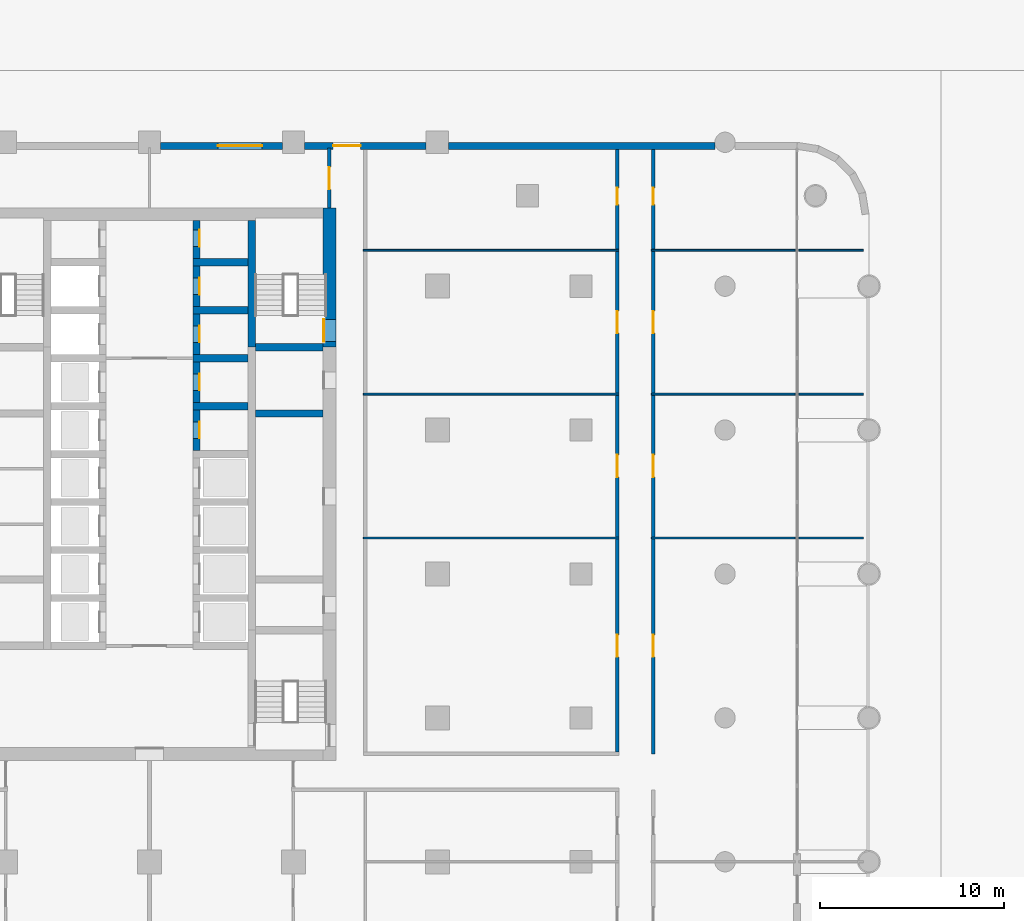
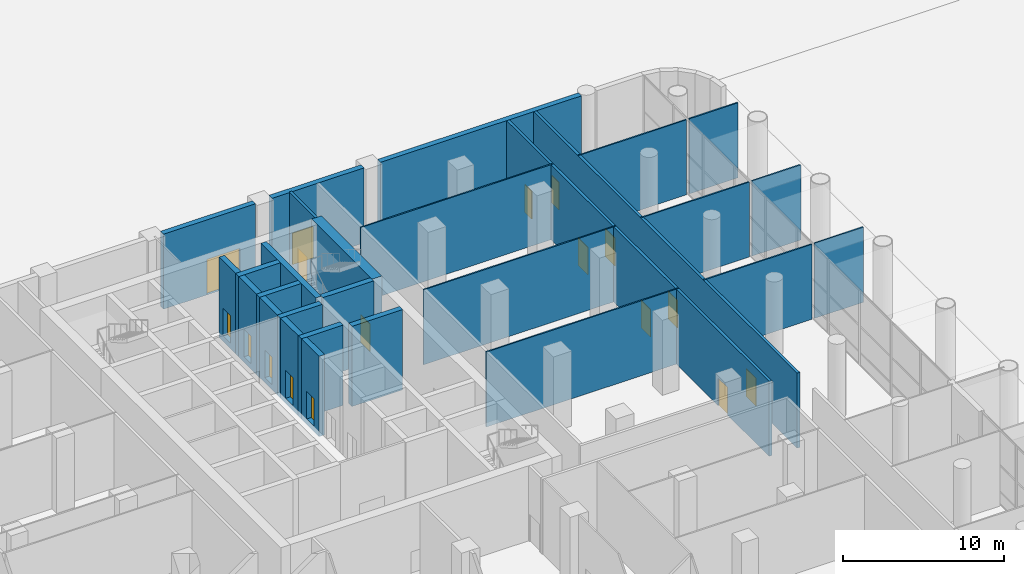
# One storey, part 15 of 32: 28 walls, 17 doors, 17 openings.
"""IFC4 building model written with IfcOpenShell, lengths in metres."""

from ifc_helpers import new_model, si_unit, direction, frame, frame_2d, origin, place, context, subcontext, project, spatial, rectangle, extrude, material, layer, layer_set, type_object, element, fill, save


model = new_model("IFC4")

# Units and contexts
model_context = context("Model", 3, precision=1e-05, world=origin(), true_north=direction((0.0, 1.0)))
body_context = subcontext(model_context, "Body", "Model", "MODEL_VIEW")
ifc_project = project(units=[si_unit("LENGTHUNIT", "METRE"), si_unit("AREAUNIT", "SQUARE_METRE"), si_unit("VOLUMEUNIT", "CUBIC_METRE"), si_unit("PLANEANGLEUNIT", "RADIAN"), si_unit("MASSUNIT", "GRAM", prefix="KILO")], contexts=[model_context])

# Site, building, storey
site_placement = place(None, origin())
site = spatial("IfcSite", under=ifc_project, at=site_placement, CompositionType="ELEMENT")
building_placement = place(site_placement, origin())
building = spatial("IfcBuilding", under=site, at=building_placement, Name="Ludao Terraces", CompositionType="ELEMENT")
storey_placement = place(building_placement, origin())
storey = spatial("IfcBuildingStorey", under=building, at=storey_placement, Name="L00", CompositionType="ELEMENT", Elevation=0.0)

# Wall, opening, door
ifc_material_1 = material(Name="Concrete C70", Category="concrete")
ifc_layer_1 = layer(ifc_material_1, 0.699951171875)
ifc_layer_set_1 = layer_set([ifc_layer_1], Name="Core wall 700 C70")
wall_type_1 = type_object("IfcWallType", Name="Core wall 700 C70", PredefinedType="SOLIDWALL", material=ifc_layer_set_1)
wall_1_placement = place(storey_placement, frame((94.75, 77.300048828125, -0.39990234375), z_axis=(0.0, 0.0, 1.0), x_axis=(0.0, 1.0, 0.0)))
wall_1 = element("IfcWall", 1, at=wall_1_placement, inside=storey, type_object=wall_type_1, Name="Core wall L00 outer-E-S2", PredefinedType="SOLIDWALL", context=body_context, shape_type="SweptSolid", body=[
    extrude(rectangle(XDim=7.550048828125, YDim=0.699951171875, at=frame_2d((3.77490234375, 0.0))), origin(), (0.0, 0.0, 1.0), 6.099853515625),
])
opening_1_placement = place(wall_1_placement, frame((0.300048828125, 0.0, 0.39990234375)))
opening_1 = element("IfcOpeningElement", 2, at=opening_1_placement, cuts=wall_1, Name="Opening L00-065", PredefinedType="OPENING", context=body_context, shape_type="SweptSolid", body=[
    extrude(rectangle(XDim=1.199951171875, YDim=2.10009765625, at=frame_2d((0.60009765625, 1.050048828125))), frame((0.0, 0.35986328125, 0.0), z_axis=(0.0, -1.0, 0.0), x_axis=(1.0, 0.0, 0.0)), (0.0, 0.0, 1.0), 0.719970703125),
])
ifc_material_2 = material(Name="Steel Q235", Category="steel")
door_type_1 = type_object("IfcDoorType", Name="INT Stair door 1200", OperationType="DOUBLE_DOOR_SINGLE_SWING", PredefinedType="DOOR", material=ifc_material_2)
door_1_placement = place(opening_1_placement, frame((1.199951171875, 0.0, 0.0), z_axis=(0.0, 0.0, 1.0), x_axis=(-1.0, 0.0, 0.0)))
door_1 = element("IfcDoor", 3, at=door_1_placement, inside=storey, type_object=door_type_1, Name="DOOR 065", OperationType="DOUBLE_DOOR_SINGLE_SWING", OverallHeight=2.10009765625, OverallWidth=1.199951171875, PredefinedType="DOOR", context=body_context, shape_type="SweptSolid", body=[
    extrude(rectangle(XDim=1.199951171875, YDim=2.10009765625, at=frame_2d((0.60009765625, 1.050048828125))), frame((0.0, -0.28515625, 0.0), z_axis=(0.0, -1.0, 0.0), x_axis=(1.0, 0.0, 0.0)), (0.0, 0.0, 1.0), 0.050048828125),
])
fill(opening_1, door_1)

ifc_material_3 = material(Name="Granite cladding", Category="masonry")
ifc_layer_2 = layer(ifc_material_3, 0.06005859375, Category="stone")
ifc_material_4 = material(Name="Mineral wool")
ifc_layer_3 = layer(ifc_material_4, 0.06005859375)
ifc_material_5 = material(Name="Concrete C40", Category="concrete")
ifc_layer_4 = layer(ifc_material_5, 0.260009765625, Category="concrete")
ifc_layer_set_2 = layer_set([ifc_layer_2, ifc_layer_3, ifc_layer_4], Name="ENV Stone-clad wall 380")
wall_type_2 = type_object("IfcWallType", Name="ENV Stone-clad wall 380", PredefinedType="SOLIDWALL", material=ifc_layer_set_2)
wall_2_placement = place(storey_placement, frame((85.60009765625, 88.2099609375, 0.0), z_axis=(0.0, 0.0, 1.0), x_axis=(1.0, 0.0, 0.0)))
wall_2 = element("IfcWall", 4, at=wall_2_placement, inside=storey, type_object=wall_type_2, Name="EW-L00-N5", PredefinedType="SOLIDWALL", context=body_context, shape_type="SweptSolid", body=[
    extrude(rectangle(XDim=6.599853515625, YDim=0.3798828125, at=frame_2d((3.2998046875, 0.0))), origin(), (0.0, 0.0, 1.0), 5.699951171875),
])
opening_2_placement = place(wall_2_placement, frame((3.10009765625, 0.0, 0.0)))
opening_2 = element("IfcOpeningElement", 5, at=opening_2_placement, cuts=wall_2, Name="Opening LG1", PredefinedType="OPENING", context=body_context, shape_type="SweptSolid", body=[
    extrude(rectangle(XDim=2.39990234375, YDim=2.699951171875, at=frame_2d((1.199951171875, 1.35009765625))), frame((0.0, 0.199951171875, 0.0), z_axis=(0.0, -1.0, 0.0), x_axis=(1.0, 0.0, 0.0)), (0.0, 0.0, 1.0), 0.39990234375),
])
ifc_layer_5 = layer(ifc_material_2, 0.06005859375)
ifc_layer_set_3 = layer_set([ifc_layer_5], Name="ENV Loading door LG1 2400x2700")
door_type_2 = type_object("IfcDoorType", Name="ENV Loading door LG1 2400x2700", OperationType="DOUBLE_DOOR_SINGLE_SWING", PredefinedType="DOOR", material=ifc_layer_set_3)
door_2_placement = place(opening_2_placement, origin())
door_2 = element("IfcDoor", 6, at=door_2_placement, inside=storey, type_object=door_type_2, Name="EX-L00-N5-899", OperationType="DOUBLE_DOOR_SINGLE_SWING", OverallHeight=2.699951171875, OverallWidth=2.39990234375, PredefinedType="DOOR", context=body_context, shape_type="SweptSolid", body=[
    extrude(rectangle(XDim=2.39990234375, YDim=2.699951171875, at=frame_2d((1.199951171875, 1.35009765625))), frame((0.0, 0.02490234375, 0.0), z_axis=(0.0, -1.0, 0.0), x_axis=(1.0, 0.0, 0.0)), (0.0, 0.0, 1.0), 0.050048828125),
])
fill(opening_2, door_2)

wall_3_placement = place(storey_placement, frame((93.39990234375, 88.2099609375, 0.0), z_axis=(0.0, 0.0, 1.0), x_axis=(1.0, 0.0, 0.0)))
wall_3 = element("IfcWall", 7, at=wall_3_placement, inside=storey, type_object=wall_type_2, Name="EW-L00-N6", PredefinedType="SOLIDWALL", context=body_context, shape_type="SweptSolid", body=[
    extrude(rectangle(XDim=6.60009765625, YDim=0.3798828125, at=frame_2d((3.300048828125, 0.0))), origin(), (0.0, 0.0, 1.0), 5.699951171875),
])
opening_3_placement = place(wall_3_placement, frame((1.550048828125, 0.0, 0.0)))
opening_3 = element("IfcOpeningElement", 8, at=opening_3_placement, cuts=wall_3, Name="Opening XD", PredefinedType="OPENING", context=body_context, shape_type="SweptSolid", body=[
    extrude(rectangle(XDim=1.5, YDim=2.39990234375, at=frame_2d((0.75, 1.199951171875))), frame((0.0, 0.199951171875, 0.0), z_axis=(0.0, -1.0, 0.0), x_axis=(1.0, 0.0, 0.0)), (0.0, 0.0, 1.0), 0.39990234375),
])
ifc_layer_6 = layer(ifc_material_2, 0.06005859375)
ifc_layer_set_4 = layer_set([ifc_layer_6], Name="ENV Stair discharge door XD 1500x2400")
door_type_3 = type_object("IfcDoorType", Name="ENV Stair discharge door XD 1500x2400", OperationType="DOUBLE_DOOR_SINGLE_SWING", PredefinedType="DOOR", material=ifc_layer_set_4)
door_3_placement = place(opening_3_placement, origin())
door_3 = element("IfcDoor", 9, at=door_3_placement, inside=storey, type_object=door_type_3, Name="EX-L00-N6-957", OperationType="DOUBLE_DOOR_SINGLE_SWING", OverallHeight=2.39990234375, OverallWidth=1.5, PredefinedType="DOOR", context=body_context, shape_type="SweptSolid", body=[
    extrude(rectangle(XDim=1.5, YDim=2.39990234375, at=frame_2d((0.75, 1.199951171875))), frame((0.0, 0.02490234375, 0.0), z_axis=(0.0, -1.0, 0.0), x_axis=(1.0, 0.0, 0.0)), (0.0, 0.0, 1.0), 0.050048828125),
])
fill(opening_3, door_3)

# Wall
wall_4_placement = place(storey_placement, frame((101.199951171875, 88.2099609375, 0.0), z_axis=(0.0, 0.0, 1.0), x_axis=(1.0, 0.0, 0.0)))
element("IfcWall", 10, at=wall_4_placement, inside=storey, type_object=wall_type_2, Name="EW-L00-N7", PredefinedType="SOLIDWALL", context=body_context, shape_type="SweptSolid", body=[
    extrude(rectangle(XDim=14.449951171875, YDim=0.3798828125, at=frame_2d((7.22509765625, 0.0))), origin(), (0.0, 0.0, 1.0), 5.699951171875),
])

# Wall, opening, door
ifc_material_6 = material(Name="Autoclaved aerated concrete block B06 A3.5", Category="concrete")
ifc_layer_7 = layer(ifc_material_6, 0.199951171875)
ifc_layer_set_5 = layer_set([ifc_layer_7], Name="INT Entrance wall 200")
wall_type_3 = type_object("IfcWallType", Name="INT Entrance wall 200", PredefinedType="PARTITIONING", material=ifc_layer_set_5)
wall_5_placement = place(storey_placement, frame((94.75, 84.85009765625, 0.0), z_axis=(0.0, 0.0, 1.0), x_axis=(0.0, 1.0, 0.0)))
wall_5 = element("IfcWall", 11, at=wall_5_placement, inside=storey, type_object=wall_type_3, Name="PW-L00-PW067", PredefinedType="PARTITIONING", context=body_context, shape_type="SweptSolid", body=[
    extrude(rectangle(XDim=3.25, YDim=0.199951171875, at=frame_2d((1.625, 0.0))), origin(), (0.0, 0.0, 1.0), 5.699951171875),
])
opening_4_placement = place(wall_5_placement, frame((1.0, 0.0, 0.0)))
opening_4 = element("IfcOpeningElement", 12, at=opening_4_placement, cuts=wall_5, Name="Opening L00-077", PredefinedType="OPENING", context=body_context, shape_type="SweptSolid", body=[
    extrude(rectangle(XDim=1.199951171875, YDim=2.10009765625, at=frame_2d((0.60009765625, 1.050048828125))), frame((0.0, 0.10986328125, 0.0), z_axis=(0.0, -1.0, 0.0), x_axis=(1.0, 0.0, 0.0)), (0.0, 0.0, 1.0), 0.219970703125),
])
ifc_material_7 = material(Name="Timber door leaf", Category="wood")
door_type_4 = type_object("IfcDoorType", Name="INT Double door 1200", OperationType="DOUBLE_DOOR_SINGLE_SWING", PredefinedType="DOOR", material=ifc_material_7)
door_4_placement = place(opening_4_placement, origin())
door_4 = element("IfcDoor", 13, at=door_4_placement, inside=storey, type_object=door_type_4, Name="DOOR 077", OperationType="DOUBLE_DOOR_SINGLE_SWING", OverallHeight=2.10009765625, OverallWidth=1.199951171875, PredefinedType="DOOR", context=body_context, shape_type="SweptSolid", body=[
    extrude(rectangle(XDim=1.199951171875, YDim=2.10009765625, at=frame_2d((0.60009765625, 1.050048828125))), frame((0.0, 0.02490234375, 0.0), z_axis=(0.0, -1.0, 0.0), x_axis=(1.0, 0.0, 0.0)), (0.0, 0.0, 1.0), 0.050048828125),
])
fill(opening_4, door_4)

# Wall, openings, doors
wall_6_placement = place(storey_placement, frame((110.35009765625, 55.35009765625, 0.0), z_axis=(0.0, 0.0, 1.0), x_axis=(0.0, 1.0, 0.0)))
wall_6 = element("IfcWall", 14, at=wall_6_placement, inside=storey, type_object=wall_type_3, Name="PW-L00-PW073", PredefinedType="PARTITIONING", context=body_context, shape_type="SweptSolid", body=[
    extrude(rectangle(XDim=32.75, YDim=0.199951171875, at=frame_2d((16.375, 0.0))), origin(), (0.0, 0.0, 1.0), 5.699951171875),
])
opening_5_placement = place(wall_6_placement, frame((5.14990234375, 0.0, 0.0)))
opening_5 = element("IfcOpeningElement", 15, at=opening_5_placement, cuts=wall_6, Name="Opening L00-032", PredefinedType="OPENING", context=body_context, shape_type="SweptSolid", body=[
    extrude(rectangle(XDim=1.199951171875, YDim=2.10009765625, at=frame_2d((0.60009765625, 1.050048828125))), frame((0.0, 0.10986328125, 0.0), z_axis=(0.0, -1.0, 0.0), x_axis=(1.0, 0.0, 0.0)), (0.0, 0.0, 1.0), 0.219970703125),
])
opening_6_placement = place(wall_6_placement, frame((14.89990234375, 0.0, 0.0)))
opening_6 = element("IfcOpeningElement", 16, at=opening_6_placement, cuts=wall_6, Name="Opening L00-050", PredefinedType="OPENING", context=body_context, shape_type="SweptSolid", body=[
    extrude(rectangle(XDim=1.199951171875, YDim=2.10009765625, at=frame_2d((0.60009765625, 1.050048828125))), frame((0.0, 0.10986328125, 0.0), z_axis=(0.0, -1.0, 0.0), x_axis=(1.0, 0.0, 0.0)), (0.0, 0.0, 1.0), 0.219970703125),
])
opening_7_placement = place(wall_6_placement, frame((22.699951171875, 0.0, 0.0)))
opening_7 = element("IfcOpeningElement", 17, at=opening_7_placement, cuts=wall_6, Name="Opening L00-066", PredefinedType="OPENING", context=body_context, shape_type="SweptSolid", body=[
    extrude(rectangle(XDim=1.199951171875, YDim=2.10009765625, at=frame_2d((0.60009765625, 1.050048828125))), frame((0.0, 0.10986328125, 0.0), z_axis=(0.0, -1.0, 0.0), x_axis=(1.0, 0.0, 0.0)), (0.0, 0.0, 1.0), 0.219970703125),
])
opening_8_placement = place(wall_6_placement, frame((29.675048828125, 0.0, 0.0)))
opening_8 = element("IfcOpeningElement", 18, at=opening_8_placement, cuts=wall_6, Name="Opening L00-074", PredefinedType="OPENING", context=body_context, shape_type="SweptSolid", body=[
    extrude(rectangle(XDim=0.89990234375, YDim=2.10009765625, at=frame_2d((0.449951171875, 1.050048828125))), frame((0.0, 0.10986328125, 0.0), z_axis=(0.0, -1.0, 0.0), x_axis=(1.0, 0.0, 0.0)), (0.0, 0.0, 1.0), 0.219970703125),
])
door_5_placement = place(opening_5_placement, origin())
door_5 = element("IfcDoor", 19, at=door_5_placement, inside=storey, type_object=door_type_4, Name="DOOR 032", OperationType="DOUBLE_DOOR_SINGLE_SWING", OverallHeight=2.10009765625, OverallWidth=1.199951171875, PredefinedType="DOOR", context=body_context, shape_type="SweptSolid", body=[
    extrude(rectangle(XDim=1.199951171875, YDim=2.10009765625, at=frame_2d((0.60009765625, 1.050048828125))), frame((0.0, 0.02490234375, 0.0), z_axis=(0.0, -1.0, 0.0), x_axis=(1.0, 0.0, 0.0)), (0.0, 0.0, 1.0), 0.050048828125),
])
fill(opening_5, door_5)
door_6_placement = place(opening_6_placement, origin())
door_6 = element("IfcDoor", 20, at=door_6_placement, inside=storey, type_object=door_type_4, Name="DOOR 050", OperationType="DOUBLE_DOOR_SINGLE_SWING", OverallHeight=2.10009765625, OverallWidth=1.199951171875, PredefinedType="DOOR", context=body_context, shape_type="SweptSolid", body=[
    extrude(rectangle(XDim=1.199951171875, YDim=2.10009765625, at=frame_2d((0.60009765625, 1.050048828125))), frame((0.0, 0.02490234375, 0.0), z_axis=(0.0, -1.0, 0.0), x_axis=(1.0, 0.0, 0.0)), (0.0, 0.0, 1.0), 0.050048828125),
])
fill(opening_6, door_6)
door_7_placement = place(opening_7_placement, origin())
door_7 = element("IfcDoor", 21, at=door_7_placement, inside=storey, type_object=door_type_4, Name="DOOR 066", OperationType="DOUBLE_DOOR_SINGLE_SWING", OverallHeight=2.10009765625, OverallWidth=1.199951171875, PredefinedType="DOOR", context=body_context, shape_type="SweptSolid", body=[
    extrude(rectangle(XDim=1.199951171875, YDim=2.10009765625, at=frame_2d((0.60009765625, 1.050048828125))), frame((0.0, 0.02490234375, 0.0), z_axis=(0.0, -1.0, 0.0), x_axis=(1.0, 0.0, 0.0)), (0.0, 0.0, 1.0), 0.050048828125),
])
fill(opening_7, door_7)
door_type_5 = type_object("IfcDoorType", Name="INT Room door 900", OperationType="SINGLE_SWING_LEFT", PredefinedType="DOOR", material=ifc_material_7)
door_8_placement = place(opening_8_placement, origin())
door_8 = element("IfcDoor", 22, at=door_8_placement, inside=storey, type_object=door_type_5, Name="DOOR 074", OperationType="SINGLE_SWING_RIGHT", OverallHeight=2.10009765625, OverallWidth=0.89990234375, PredefinedType="DOOR", context=body_context, shape_type="SweptSolid", body=[
    extrude(rectangle(XDim=0.89990234375, YDim=2.10009765625, at=frame_2d((0.449951171875, 1.050048828125))), frame((0.0, 0.02490234375, 0.0), z_axis=(0.0, -1.0, 0.0), x_axis=(1.0, 0.0, 0.0)), (0.0, 0.0, 1.0), 0.050048828125),
])
fill(opening_8, door_8)

wall_7_placement = place(storey_placement, frame((112.300048828125, 55.25, 0.0), z_axis=(0.0, 0.0, 1.0), x_axis=(0.0, 1.0, 0.0)))
wall_7 = element("IfcWall", 23, at=wall_7_placement, inside=storey, type_object=wall_type_3, Name="PW-L00-PW076", PredefinedType="PARTITIONING", context=body_context, shape_type="SweptSolid", body=[
    extrude(rectangle(XDim=32.85009765625, YDim=0.199951171875, at=frame_2d((16.425048828125, 0.0))), origin(), (0.0, 0.0, 1.0), 5.699951171875),
])
opening_9_placement = place(wall_7_placement, frame((5.25, 0.0, 0.0)))
opening_9 = element("IfcOpeningElement", 24, at=opening_9_placement, cuts=wall_7, Name="Opening L00-033", PredefinedType="OPENING", context=body_context, shape_type="SweptSolid", body=[
    extrude(rectangle(XDim=1.199951171875, YDim=2.10009765625, at=frame_2d((0.60009765625, 1.050048828125))), frame((0.0, 0.10986328125, 0.0), z_axis=(0.0, -1.0, 0.0), x_axis=(1.0, 0.0, 0.0)), (0.0, 0.0, 1.0), 0.219970703125),
])
opening_10_placement = place(wall_7_placement, frame((15.0, 0.0, 0.0)))
opening_10 = element("IfcOpeningElement", 25, at=opening_10_placement, cuts=wall_7, Name="Opening L00-051", PredefinedType="OPENING", context=body_context, shape_type="SweptSolid", body=[
    extrude(rectangle(XDim=1.199951171875, YDim=2.10009765625, at=frame_2d((0.60009765625, 1.050048828125))), frame((0.0, 0.10986328125, 0.0), z_axis=(0.0, -1.0, 0.0), x_axis=(1.0, 0.0, 0.0)), (0.0, 0.0, 1.0), 0.219970703125),
])
opening_11_placement = place(wall_7_placement, frame((22.800048828125, 0.0, 0.0)))
opening_11 = element("IfcOpeningElement", 26, at=opening_11_placement, cuts=wall_7, Name="Opening L00-067", PredefinedType="OPENING", context=body_context, shape_type="SweptSolid", body=[
    extrude(rectangle(XDim=1.199951171875, YDim=2.10009765625, at=frame_2d((0.60009765625, 1.050048828125))), frame((0.0, 0.10986328125, 0.0), z_axis=(0.0, -1.0, 0.0), x_axis=(1.0, 0.0, 0.0)), (0.0, 0.0, 1.0), 0.219970703125),
])
opening_12_placement = place(wall_7_placement, frame((29.775146484375, 0.0, 0.0)))
opening_12 = element("IfcOpeningElement", 27, at=opening_12_placement, cuts=wall_7, Name="Opening L00-075", PredefinedType="OPENING", context=body_context, shape_type="SweptSolid", body=[
    extrude(rectangle(XDim=0.89990234375, YDim=2.10009765625, at=frame_2d((0.449951171875, 1.050048828125))), frame((0.0, 0.10986328125, 0.0), z_axis=(0.0, -1.0, 0.0), x_axis=(1.0, 0.0, 0.0)), (0.0, 0.0, 1.0), 0.219970703125),
])
door_9_placement = place(opening_9_placement, origin())
door_9 = element("IfcDoor", 28, at=door_9_placement, inside=storey, type_object=door_type_4, Name="DOOR 033", OperationType="DOUBLE_DOOR_SINGLE_SWING", OverallHeight=2.10009765625, OverallWidth=1.199951171875, PredefinedType="DOOR", context=body_context, shape_type="SweptSolid", body=[
    extrude(rectangle(XDim=1.199951171875, YDim=2.10009765625, at=frame_2d((0.60009765625, 1.050048828125))), frame((0.0, 0.02490234375, 0.0), z_axis=(0.0, -1.0, 0.0), x_axis=(1.0, 0.0, 0.0)), (0.0, 0.0, 1.0), 0.050048828125),
])
fill(opening_9, door_9)
door_10_placement = place(opening_10_placement, origin())
door_10 = element("IfcDoor", 29, at=door_10_placement, inside=storey, type_object=door_type_4, Name="DOOR 051", OperationType="DOUBLE_DOOR_SINGLE_SWING", OverallHeight=2.10009765625, OverallWidth=1.199951171875, PredefinedType="DOOR", context=body_context, shape_type="SweptSolid", body=[
    extrude(rectangle(XDim=1.199951171875, YDim=2.10009765625, at=frame_2d((0.60009765625, 1.050048828125))), frame((0.0, 0.02490234375, 0.0), z_axis=(0.0, -1.0, 0.0), x_axis=(1.0, 0.0, 0.0)), (0.0, 0.0, 1.0), 0.050048828125),
])
fill(opening_10, door_10)
door_11_placement = place(opening_11_placement, origin())
door_11 = element("IfcDoor", 30, at=door_11_placement, inside=storey, type_object=door_type_4, Name="DOOR 067", OperationType="DOUBLE_DOOR_SINGLE_SWING", OverallHeight=2.10009765625, OverallWidth=1.199951171875, PredefinedType="DOOR", context=body_context, shape_type="SweptSolid", body=[
    extrude(rectangle(XDim=1.199951171875, YDim=2.10009765625, at=frame_2d((0.60009765625, 1.050048828125))), frame((0.0, 0.02490234375, 0.0), z_axis=(0.0, -1.0, 0.0), x_axis=(1.0, 0.0, 0.0)), (0.0, 0.0, 1.0), 0.050048828125),
])
fill(opening_11, door_11)
door_12_placement = place(opening_12_placement, origin())
door_12 = element("IfcDoor", 31, at=door_12_placement, inside=storey, type_object=door_type_5, Name="DOOR 075", OperationType="SINGLE_SWING_LEFT", OverallHeight=2.10009765625, OverallWidth=0.89990234375, PredefinedType="DOOR", context=body_context, shape_type="SweptSolid", body=[
    extrude(rectangle(XDim=0.89990234375, YDim=2.10009765625, at=frame_2d((0.449951171875, 1.050048828125))), frame((0.0, 0.02490234375, 0.0), z_axis=(0.0, -1.0, 0.0), x_axis=(1.0, 0.0, 0.0)), (0.0, 0.0, 1.0), 0.050048828125),
])
fill(opening_12, door_12)

# Walls
ifc_material_8 = material(Name="Gypsum plasterboard", Category="gypsum")
ifc_layer_8 = layer(ifc_material_8, 0.012451171875, Category="gypsum")
ifc_layer_9 = layer(ifc_material_4, 0.06005859375, Name="insulation")
ifc_layer_10 = layer(ifc_material_2, 0.014892578125, Name="stud")
ifc_layer_11 = layer(ifc_material_8, 0.012451171875, Category="gypsum")
ifc_layer_set_6 = layer_set([ifc_layer_8, ifc_layer_9, ifc_layer_10, ifc_layer_11], Name="INT Partition 100")
wall_type_4 = type_object("IfcWallType", Name="INT Partition 100", PredefinedType="PARTITIONING", material=ifc_layer_set_6)
wall_8_placement = place(storey_placement, frame((96.60009765625, 66.949951171875, 0.0), z_axis=(0.0, 0.0, 1.0), x_axis=(1.0, 0.0, 0.0)))
element("IfcWall", 32, at=wall_8_placement, inside=storey, type_object=wall_type_4, Name="PW-L00-PW031", PredefinedType="PARTITIONING", context=body_context, shape_type="SweptSolid", body=[
    extrude(rectangle(XDim=13.85009765625, YDim=0.10009765625, at=frame_2d((6.925048828125, 0.0))), origin(), (0.0, 0.0, 1.0), 5.699951171875),
])
wall_9_placement = place(storey_placement, frame((112.2001953125, 66.949951171875, 0.0), z_axis=(0.0, 0.0, 1.0), x_axis=(1.0, 0.0, 0.0)))
element("IfcWall", 33, at=wall_9_placement, inside=storey, type_object=wall_type_4, Name="PW-L00-PW032", PredefinedType="PARTITIONING", context=body_context, shape_type="SweptSolid", body=[
    extrude(rectangle(XDim=7.7998046875, YDim=0.10009765625, at=frame_2d((3.89990234375, 0.0))), origin(), (0.0, 0.0, 1.0), 5.699951171875),
])
wall_10_placement = place(storey_placement, frame((120.199951171875, 66.949951171875, 0.0), z_axis=(0.0, 0.0, 1.0), x_axis=(1.0, 0.0, 0.0)))
element("IfcWall", 34, at=wall_10_placement, inside=storey, type_object=wall_type_4, Name="PW-L00-PW033", PredefinedType="PARTITIONING", context=body_context, shape_type="SweptSolid", body=[
    extrude(rectangle(XDim=3.500244140625, YDim=0.10009765625, at=frame_2d((1.75, 0.0))), origin(), (0.0, 0.0, 1.0), 5.699951171875),
])
wall_11_placement = place(storey_placement, frame((96.60009765625, 74.75, 0.0), z_axis=(0.0, 0.0, 1.0), x_axis=(1.0, 0.0, 0.0)))
element("IfcWall", 35, at=wall_11_placement, inside=storey, type_object=wall_type_4, Name="PW-L00-PW039", PredefinedType="PARTITIONING", context=body_context, shape_type="SweptSolid", body=[
    extrude(rectangle(XDim=13.85009765625, YDim=0.10009765625, at=frame_2d((6.925048828125, 0.0))), origin(), (0.0, 0.0, 1.0), 5.699951171875),
])
wall_12_placement = place(storey_placement, frame((112.2001953125, 74.75, 0.0), z_axis=(0.0, 0.0, 1.0), x_axis=(1.0, 0.0, 0.0)))
element("IfcWall", 36, at=wall_12_placement, inside=storey, type_object=wall_type_4, Name="PW-L00-PW040", PredefinedType="PARTITIONING", context=body_context, shape_type="SweptSolid", body=[
    extrude(rectangle(XDim=7.7998046875, YDim=0.10009765625, at=frame_2d((3.89990234375, 0.0))), origin(), (0.0, 0.0, 1.0), 5.699951171875),
])
wall_13_placement = place(storey_placement, frame((120.199951171875, 74.75, 0.0), z_axis=(0.0, 0.0, 1.0), x_axis=(1.0, 0.0, 0.0)))
element("IfcWall", 37, at=wall_13_placement, inside=storey, type_object=wall_type_4, Name="PW-L00-PW041", PredefinedType="PARTITIONING", context=body_context, shape_type="SweptSolid", body=[
    extrude(rectangle(XDim=3.500244140625, YDim=0.10009765625, at=frame_2d((1.75, 0.0))), origin(), (0.0, 0.0, 1.0), 5.699951171875),
])
wall_14_placement = place(storey_placement, frame((96.60009765625, 82.550048828125, 0.0), z_axis=(0.0, 0.0, 1.0), x_axis=(1.0, 0.0, 0.0)))
element("IfcWall", 38, at=wall_14_placement, inside=storey, type_object=wall_type_4, Name="PW-L00-PW046", PredefinedType="PARTITIONING", context=body_context, shape_type="SweptSolid", body=[
    extrude(rectangle(XDim=13.85009765625, YDim=0.10009765625, at=frame_2d((6.925048828125, 0.0))), origin(), (0.0, 0.0, 1.0), 5.699951171875),
])
wall_15_placement = place(storey_placement, frame((112.2001953125, 82.550048828125, 0.0), z_axis=(0.0, 0.0, 1.0), x_axis=(1.0, 0.0, 0.0)))
element("IfcWall", 39, at=wall_15_placement, inside=storey, type_object=wall_type_4, Name="PW-L00-PW047", PredefinedType="PARTITIONING", context=body_context, shape_type="SweptSolid", body=[
    extrude(rectangle(XDim=7.7998046875, YDim=0.10009765625, at=frame_2d((3.89990234375, 0.0))), origin(), (0.0, 0.0, 1.0), 5.699951171875),
])
wall_16_placement = place(storey_placement, frame((120.199951171875, 82.550048828125, 0.0), z_axis=(0.0, 0.0, 1.0), x_axis=(1.0, 0.0, 0.0)))
element("IfcWall", 40, at=wall_16_placement, inside=storey, type_object=wall_type_4, Name="PW-L00-PW048", PredefinedType="PARTITIONING", context=body_context, shape_type="SweptSolid", body=[
    extrude(rectangle(XDim=3.500244140625, YDim=0.10009765625, at=frame_2d((1.75, 0.0))), origin(), (0.0, 0.0, 1.0), 5.699951171875),
])
ifc_material_9 = material(Name="Concrete C60", Category="concrete")
ifc_layer_12 = layer(ifc_material_9, 0.39990234375)
ifc_layer_set_7 = layer_set([ifc_layer_12], Name="Shaft wall 400 C60")
wall_type_5 = type_object("IfcWallType", Name="Shaft wall 400 C60", PredefinedType="SOLIDWALL", material=ifc_layer_set_7)
wall_17_placement = place(storey_placement, frame((90.550048828125, 77.300048828125, -0.39990234375), z_axis=(0.0, 0.0, 1.0), x_axis=(0.0, 1.0, 0.0)))
element("IfcWall", 41, at=wall_17_placement, inside=storey, type_object=wall_type_5, Name="Core wall L00 back-E-S2", PredefinedType="SOLIDWALL", context=body_context, shape_type="SweptSolid", body=[
    extrude(rectangle(XDim=6.849853515625, YDim=0.39990234375, at=frame_2d((3.4248046875, 0.0))), origin(), (0.0, 0.0, 1.0), 6.099853515625),
])

# Wall, opening, door
wall_18_placement = place(storey_placement, frame((87.550048828125, 71.699951171875, -0.39990234375), z_axis=(0.0, 0.0, 1.0), x_axis=(0.0, 1.0, 0.0)))
wall_18 = element("IfcWall", 42, at=wall_18_placement, inside=storey, type_object=wall_type_5, Name="Core wall L00 front-E5", PredefinedType="SOLIDWALL", context=body_context, shape_type="SweptSolid", body=[
    extrude(rectangle(XDim=2.199951171875, YDim=0.39990234375, at=frame_2d((1.10009765625, 0.0))), origin(), (0.0, 0.0, 1.0), 6.099853515625),
])
opening_13_placement = place(wall_18_placement, frame((0.64990234375, 0.0, 0.39990234375)))
opening_13 = element("IfcOpeningElement", 43, at=opening_13_placement, cuts=wall_18, Name="Opening L00-054", PredefinedType="OPENING", context=body_context, shape_type="SweptSolid", body=[
    extrude(rectangle(XDim=0.89990234375, YDim=2.10009765625, at=frame_2d((0.449951171875, 1.050048828125))), frame((0.0, 0.2099609375, 0.0), z_axis=(0.0, -1.0, 0.0), x_axis=(1.0, 0.0, 0.0)), (0.0, 0.0, 1.0), 0.419921875),
])
door_13_placement = place(opening_13_placement, origin())
door_13 = element("IfcDoor", 44, at=door_13_placement, inside=storey, type_object=door_type_5, Name="DOOR 054", OperationType="SINGLE_SWING_RIGHT", OverallHeight=2.10009765625, OverallWidth=0.89990234375, PredefinedType="DOOR", context=body_context, shape_type="SweptSolid", body=[
    extrude(rectangle(XDim=0.89990234375, YDim=2.10009765625, at=frame_2d((0.449951171875, 1.050048828125))), frame((0.0, -0.134765625, 0.0), z_axis=(0.0, -1.0, 0.0), x_axis=(1.0, 0.0, 0.0)), (0.0, 0.0, 1.0), 0.050048828125),
])
fill(opening_13, door_13)

# Wall
wall_19_placement = place(storey_placement, frame((87.35009765625, 74.10009765625, -0.39990234375), z_axis=(0.0, 0.0, 1.0), x_axis=(1.0, 0.0, 0.0)))
element("IfcWall", 45, at=wall_19_placement, inside=storey, type_object=wall_type_5, Name="Core wall L00 div-E6", PredefinedType="SOLIDWALL", context=body_context, shape_type="SweptSolid", body=[
    extrude(rectangle(XDim=3.0, YDim=0.39990234375, at=frame_2d((1.5, 0.0))), origin(), (0.0, 0.0, 1.0), 6.099853515625),
])

# Wall, opening, door
wall_20_placement = place(storey_placement, frame((87.550048828125, 74.300048828125, -0.39990234375), z_axis=(0.0, 0.0, 1.0), x_axis=(0.0, 1.0, 0.0)))
wall_20 = element("IfcWall", 46, at=wall_20_placement, inside=storey, type_object=wall_type_5, Name="Core wall L00 front-E6", PredefinedType="SOLIDWALL", context=body_context, shape_type="SweptSolid", body=[
    extrude(rectangle(XDim=2.199951171875, YDim=0.39990234375, at=frame_2d((1.10009765625, 0.0))), origin(), (0.0, 0.0, 1.0), 6.099853515625),
])
opening_14_placement = place(wall_20_placement, frame((0.64990234375, 0.0, 0.39990234375)))
opening_14 = element("IfcOpeningElement", 47, at=opening_14_placement, cuts=wall_20, Name="Opening L00-056", PredefinedType="OPENING", context=body_context, shape_type="SweptSolid", body=[
    extrude(rectangle(XDim=0.89990234375, YDim=2.10009765625, at=frame_2d((0.449951171875, 1.050048828125))), frame((0.0, 0.2099609375, 0.0), z_axis=(0.0, -1.0, 0.0), x_axis=(1.0, 0.0, 0.0)), (0.0, 0.0, 1.0), 0.419921875),
])
door_14_placement = place(opening_14_placement, origin())
door_14 = element("IfcDoor", 48, at=door_14_placement, inside=storey, type_object=door_type_5, Name="DOOR 056", OperationType="SINGLE_SWING_RIGHT", OverallHeight=2.10009765625, OverallWidth=0.89990234375, PredefinedType="DOOR", context=body_context, shape_type="SweptSolid", body=[
    extrude(rectangle(XDim=0.89990234375, YDim=2.10009765625, at=frame_2d((0.449951171875, 1.050048828125))), frame((0.0, -0.134765625, 0.0), z_axis=(0.0, -1.0, 0.0), x_axis=(1.0, 0.0, 0.0)), (0.0, 0.0, 1.0), 0.050048828125),
])
fill(opening_14, door_14)

# Wall
wall_21_placement = place(storey_placement, frame((87.35009765625, 76.699951171875, -0.39990234375), z_axis=(0.0, 0.0, 1.0), x_axis=(1.0, 0.0, 0.0)))
element("IfcWall", 49, at=wall_21_placement, inside=storey, type_object=wall_type_5, Name="Core wall L00 div-E7", PredefinedType="SOLIDWALL", context=body_context, shape_type="SweptSolid", body=[
    extrude(rectangle(XDim=3.0, YDim=0.39990234375, at=frame_2d((1.5, 0.0))), origin(), (0.0, 0.0, 1.0), 6.099853515625),
])

# Wall, opening, door
wall_22_placement = place(storey_placement, frame((87.550048828125, 76.89990234375, -0.39990234375), z_axis=(0.0, 0.0, 1.0), x_axis=(0.0, 1.0, 0.0)))
wall_22 = element("IfcWall", 50, at=wall_22_placement, inside=storey, type_object=wall_type_5, Name="Core wall L00 front-E7", PredefinedType="SOLIDWALL", context=body_context, shape_type="SweptSolid", body=[
    extrude(rectangle(XDim=2.2001953125, YDim=0.39990234375, at=frame_2d((1.10009765625, 0.0))), origin(), (0.0, 0.0, 1.0), 6.099853515625),
])
opening_15_placement = place(wall_22_placement, frame((0.64990234375, 0.0, 0.39990234375)))
opening_15 = element("IfcOpeningElement", 51, at=opening_15_placement, cuts=wall_22, Name="Opening L00-063", PredefinedType="OPENING", context=body_context, shape_type="SweptSolid", body=[
    extrude(rectangle(XDim=0.89990234375, YDim=2.10009765625, at=frame_2d((0.449951171875, 1.050048828125))), frame((0.0, 0.2099609375, 0.0), z_axis=(0.0, -1.0, 0.0), x_axis=(1.0, 0.0, 0.0)), (0.0, 0.0, 1.0), 0.419921875),
])
door_15_placement = place(opening_15_placement, origin())
door_15 = element("IfcDoor", 52, at=door_15_placement, inside=storey, type_object=door_type_5, Name="DOOR 063", OperationType="SINGLE_SWING_RIGHT", OverallHeight=2.10009765625, OverallWidth=0.89990234375, PredefinedType="DOOR", context=body_context, shape_type="SweptSolid", body=[
    extrude(rectangle(XDim=0.89990234375, YDim=2.10009765625, at=frame_2d((0.449951171875, 1.050048828125))), frame((0.0, -0.134765625, 0.0), z_axis=(0.0, -1.0, 0.0), x_axis=(1.0, 0.0, 0.0)), (0.0, 0.0, 1.0), 0.050048828125),
])
fill(opening_15, door_15)

# Wall
wall_23_placement = place(storey_placement, frame((87.35009765625, 79.300048828125, -0.39990234375), z_axis=(0.0, 0.0, 1.0), x_axis=(1.0, 0.0, 0.0)))
element("IfcWall", 53, at=wall_23_placement, inside=storey, type_object=wall_type_5, Name="Core wall L00 div-E8", PredefinedType="SOLIDWALL", context=body_context, shape_type="SweptSolid", body=[
    extrude(rectangle(XDim=3.0, YDim=0.39990234375, at=frame_2d((1.5, 0.0))), origin(), (0.0, 0.0, 1.0), 6.099853515625),
])

# Wall, opening, door
wall_24_placement = place(storey_placement, frame((87.550048828125, 79.5, -0.39990234375), z_axis=(0.0, 0.0, 1.0), x_axis=(0.0, 1.0, 0.0)))
wall_24 = element("IfcWall", 54, at=wall_24_placement, inside=storey, type_object=wall_type_5, Name="Core wall L00 front-E8", PredefinedType="SOLIDWALL", context=body_context, shape_type="SweptSolid", body=[
    extrude(rectangle(XDim=2.199951171875, YDim=0.39990234375, at=frame_2d((1.10009765625, 0.0))), origin(), (0.0, 0.0, 1.0), 6.099853515625),
])
opening_16_placement = place(wall_24_placement, frame((0.64990234375, 0.0, 0.39990234375)))
opening_16 = element("IfcOpeningElement", 55, at=opening_16_placement, cuts=wall_24, Name="Opening L00-069", PredefinedType="OPENING", context=body_context, shape_type="SweptSolid", body=[
    extrude(rectangle(XDim=0.89990234375, YDim=2.10009765625, at=frame_2d((0.449951171875, 1.050048828125))), frame((0.0, 0.2099609375, 0.0), z_axis=(0.0, -1.0, 0.0), x_axis=(1.0, 0.0, 0.0)), (0.0, 0.0, 1.0), 0.419921875),
])
door_16_placement = place(opening_16_placement, origin())
door_16 = element("IfcDoor", 56, at=door_16_placement, inside=storey, type_object=door_type_5, Name="DOOR 069", OperationType="SINGLE_SWING_LEFT", OverallHeight=2.10009765625, OverallWidth=0.89990234375, PredefinedType="DOOR", context=body_context, shape_type="SweptSolid", body=[
    extrude(rectangle(XDim=0.89990234375, YDim=2.10009765625, at=frame_2d((0.449951171875, 1.050048828125))), frame((0.0, -0.134765625, 0.0), z_axis=(0.0, -1.0, 0.0), x_axis=(1.0, 0.0, 0.0)), (0.0, 0.0, 1.0), 0.050048828125),
])
fill(opening_16, door_16)

# Wall
wall_25_placement = place(storey_placement, frame((87.35009765625, 81.89990234375, -0.39990234375), z_axis=(0.0, 0.0, 1.0), x_axis=(1.0, 0.0, 0.0)))
element("IfcWall", 57, at=wall_25_placement, inside=storey, type_object=wall_type_5, Name="Core wall L00 div-E9", PredefinedType="SOLIDWALL", context=body_context, shape_type="SweptSolid", body=[
    extrude(rectangle(XDim=3.0, YDim=0.39990234375, at=frame_2d((1.5, 0.0))), origin(), (0.0, 0.0, 1.0), 6.099853515625),
])

# Wall, opening, door
wall_26_placement = place(storey_placement, frame((87.550048828125, 82.10009765625, -0.39990234375), z_axis=(0.0, 0.0, 1.0), x_axis=(0.0, 1.0, 0.0)))
wall_26 = element("IfcWall", 58, at=wall_26_placement, inside=storey, type_object=wall_type_5, Name="Core wall L00 front-E9", PredefinedType="SOLIDWALL", context=body_context, shape_type="SweptSolid", body=[
    extrude(rectangle(XDim=2.0498046875, YDim=0.39990234375, at=frame_2d((1.02490234375, 0.0))), origin(), (0.0, 0.0, 1.0), 6.099853515625),
])
opening_17_placement = place(wall_26_placement, frame((0.64990234375, 0.0, 0.39990234375)))
opening_17 = element("IfcOpeningElement", 59, at=opening_17_placement, cuts=wall_26, Name="Opening L00-071", PredefinedType="OPENING", context=body_context, shape_type="SweptSolid", body=[
    extrude(rectangle(XDim=0.89990234375, YDim=2.10009765625, at=frame_2d((0.449951171875, 1.050048828125))), frame((0.0, 0.2099609375, 0.0), z_axis=(0.0, -1.0, 0.0), x_axis=(1.0, 0.0, 0.0)), (0.0, 0.0, 1.0), 0.419921875),
])
door_17_placement = place(opening_17_placement, origin())
door_17 = element("IfcDoor", 60, at=door_17_placement, inside=storey, type_object=door_type_5, Name="DOOR 071", OperationType="SINGLE_SWING_LEFT", OverallHeight=2.10009765625, OverallWidth=0.89990234375, PredefinedType="DOOR", context=body_context, shape_type="SweptSolid", body=[
    extrude(rectangle(XDim=0.89990234375, YDim=2.10009765625, at=frame_2d((0.449951171875, 1.050048828125))), frame((0.0, -0.134765625, 0.0), z_axis=(0.0, -1.0, 0.0), x_axis=(1.0, 0.0, 0.0)), (0.0, 0.0, 1.0), 0.050048828125),
])
fill(opening_17, door_17)

# Walls
for number, where, z_axis, x_axis, name in (
    (61, (90.75, 73.699951171875, -0.39990234375), (0.0, 0.0, 1.0), (1.0, 0.0, 0.0), "Core wall L00 riser-b-E"),
    (62, (90.75, 77.300048828125, -0.39990234375), (0.0, 0.0, 1.0), (1.0, 0.0, 0.0), "Core wall L00 stair-E"),
):
    element("IfcWall", number, at=place(storey_placement, frame(where, z_axis=z_axis, x_axis=x_axis)), inside=storey, type_object=wall_type_5, Name=name, PredefinedType="SOLIDWALL", context=body_context, shape_type="SweptSolid", body=[
        extrude(rectangle(XDim=3.64990234375, YDim=0.39990234375, at=frame_2d((1.824951171875, 0.0))), origin(), (0.0, 0.0, 1.0), 6.099853515625),
    ])

save(model, "model.ifc")
